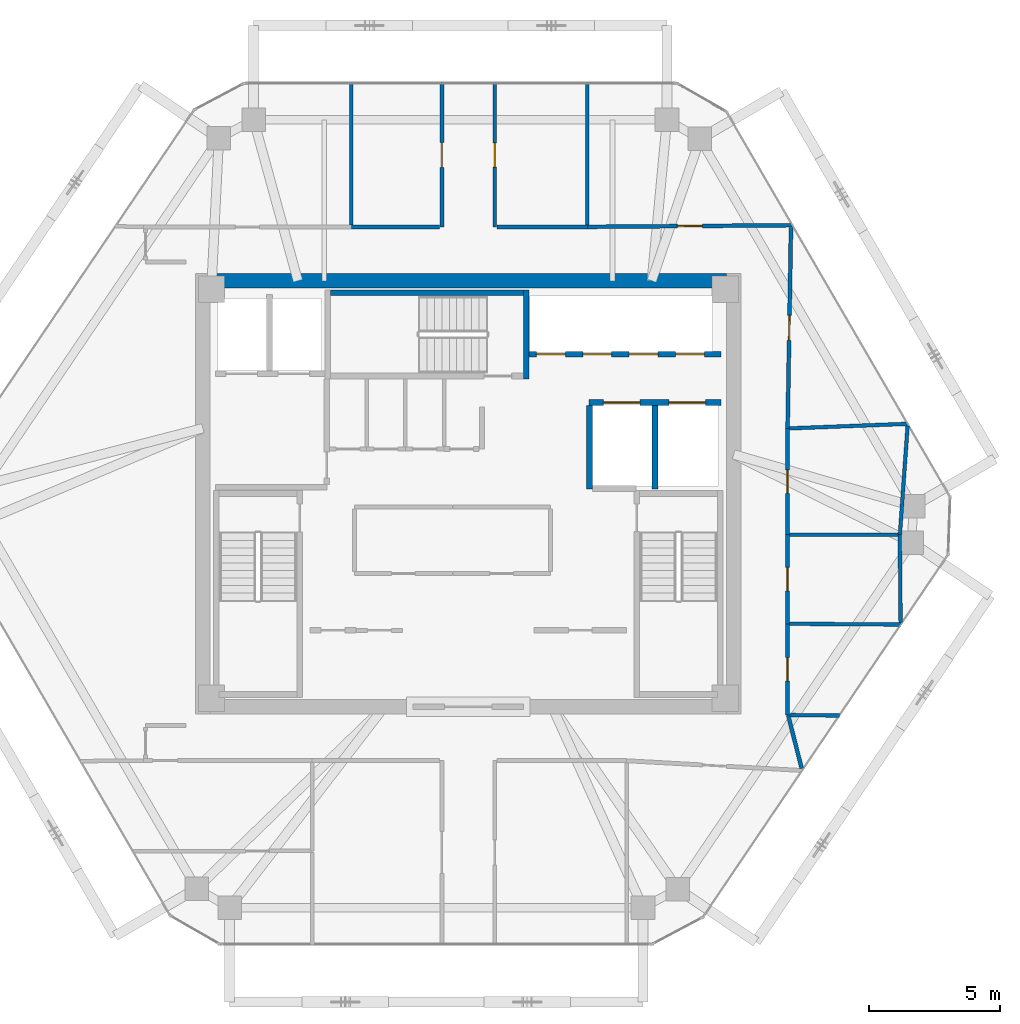
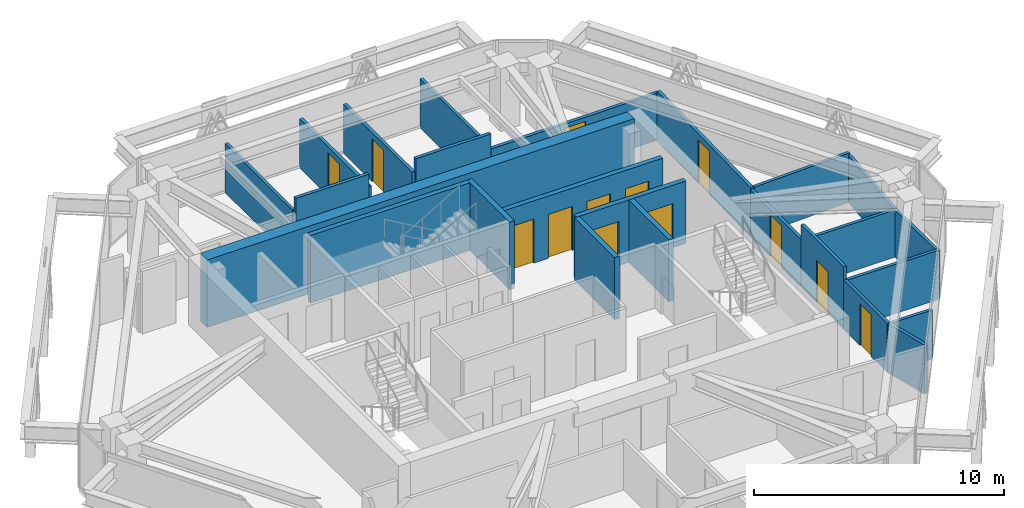
# One storey, part 11 of 13: 25 walls, 13 doors, 13 openings.
"""IFC4 building model written with IfcOpenShell, lengths in metres."""

from ifc_helpers import new_model, si_unit, direction, frame, frame_2d, origin, place, context, subcontext, project, spatial, rectangle, extrude, source, transform, mapped, material, layer, layer_set, type_object, type_shapes, element, fill, save


model = new_model("IFC4")

# Units and contexts
model_context = context("Model", 3, precision=1e-05, world=origin(), true_north=direction((0.0, 1.0)))
body_context = subcontext(model_context, "Body", "Model", "MODEL_VIEW")
ifc_project = project(units=[si_unit("LENGTHUNIT", "METRE"), si_unit("AREAUNIT", "SQUARE_METRE"), si_unit("VOLUMEUNIT", "CUBIC_METRE"), si_unit("PLANEANGLEUNIT", "RADIAN"), si_unit("MASSUNIT", "GRAM", prefix="KILO")], contexts=[model_context])

# Site, building, storey
site_placement = place(None, origin())
site = spatial("IfcSite", under=ifc_project, at=site_placement, CompositionType="ELEMENT")
building_placement = place(site_placement, origin())
building = spatial("IfcBuilding", under=site, at=building_placement, Name="Durnholm Broadcast Tower", CompositionType="ELEMENT")
storey_placement = place(building_placement, frame((0.0, 0.0, 234.800048828125)))
storey = spatial("IfcBuildingStorey", under=building, at=storey_placement, Name="L65", CompositionType="ELEMENT", Elevation=234.800048828125)

# Walls
ifc_material_1 = material(Name="Concrete C70/85", Category="concrete")
ifc_layer_1 = layer(ifc_material_1, 0.550048828125)
ifc_layer_set_1 = layer_set([ifc_layer_1], Name="Concrete C70/85")
wall_type_1 = type_object("IfcWallType", Name="WALL-CW-550", PredefinedType="SHEAR", material=ifc_layer_set_1)
wall_1_placement = place(storey_placement, frame((-9.85009765625, 8.125, 0.0), z_axis=(0.0, 0.0, 1.0), x_axis=(1.0, 0.0, 0.0)))
element("IfcWall", 1, at=wall_1_placement, inside=storey, type_object=wall_type_1, Name="L65 central core shear wall CW-N", PredefinedType="SHEAR", context=body_context, shape_type="SweptSolid", body=[
    extrude(rectangle(XDim=19.7001953125, YDim=0.550048828125, at=frame_2d((9.85009765625, 0.0))), origin(), (0.0, 0.0, 1.0), 3.300048828125),
])
ifc_material_2 = material(Name="Gypsum Metal Stud Partition", Category="concrete")
ifc_layer_2 = layer(ifc_material_2, 0.135009765625)
ifc_layer_set_2 = layer_set([ifc_layer_2], Name="Gypsum Metal Stud Partition")
wall_type_2 = type_object("IfcWallType", Name="WALL-PART-135", PredefinedType="PARTITIONING", material=ifc_layer_set_2)
wall_2_placement = place(storey_placement, frame((-4.4599609375, 15.662109375, 0.0), z_axis=(0.0, 0.0, 1.0), x_axis=(0.0, -1.0, 0.0)))
element("IfcWall", 2, at=wall_2_placement, inside=storey, type_object=wall_type_2, Name="L65 room dividing partition 13.14", PredefinedType="PARTITIONING", context=body_context, shape_type="SweptSolid", body=[
    extrude(rectangle(XDim=5.403076171875, YDim=0.135009765625, at=frame_2d((2.70166015625, 0.0))), origin(), (0.0, 0.0, 1.0), 2.398681640625),
])
wall_3_placement = place(storey_placement, frame((4.5400390625, 15.662109375, 0.0), z_axis=(0.0, 0.0, 1.0), x_axis=(0.0, -1.0, 0.0)))
element("IfcWall", 3, at=wall_3_placement, inside=storey, type_object=wall_type_2, Name="L65 room dividing partition 15.16", PredefinedType="PARTITIONING", context=body_context, shape_type="SweptSolid", body=[
    extrude(rectangle(XDim=5.402587890625, YDim=0.135009765625, at=frame_2d((2.701171875, 0.0))), origin(), (0.0, 0.0, 1.0), 2.398681640625),
])

# Wall, opening, door
ifc_material_3 = material(Name="Acoustic Gypsum Stud Partition", Category="concrete")
ifc_layer_3 = layer(ifc_material_3, 0.14990234375)
ifc_layer_set_3 = layer_set([ifc_layer_3], Name="Acoustic Gypsum Stud Partition")
wall_type_3 = type_object("IfcWallType", Name="WALL-PART-150", PredefinedType="PARTITIONING", material=ifc_layer_set_3)
wall_4_placement = place(storey_placement, frame((-1.010009765625, 15.662109375, 0.0), z_axis=(0.0, 0.0, 1.0), x_axis=(0.0, -1.0, 0.0)))
wall_4 = element("IfcWall", 4, at=wall_4_placement, inside=storey, type_object=wall_type_3, Name="L65 Global Bureaus Meeting Room corridor partition", PredefinedType="PARTITIONING", context=body_context, shape_type="SweptSolid", body=[
    extrude(rectangle(XDim=5.482177734375, YDim=0.14990234375, at=frame_2d((2.7412109375, 0.0))), origin(), (0.0, 0.0, 1.0), 2.398681640625),
])
opening_1_placement = place(wall_4_placement, frame((2.26611328125, 0.0, 0.0)))
opening_1 = element("IfcOpeningElement", 5, at=opening_1_placement, cuts=wall_4, Name="Opening DR-95L", PredefinedType="OPENING", context=body_context, shape_type="SweptSolid", body=[
    extrude(rectangle(XDim=0.949951171875, YDim=2.10009765625, at=frame_2d((0.47509765625, 1.050048828125))), frame((0.0, 0.0849609375, 0.0), z_axis=(0.0, -1.0, 0.0), x_axis=(1.0, 0.0, 0.0)), (0.0, 0.0, 1.0), 0.169921875),
])
ifc_material_4 = material(Name="Acoustic Oak Veneer Timber Door", Category="wood")
ifc_layer_4 = layer(ifc_material_4, 0.050048828125)
ifc_layer_set_4 = layer_set([ifc_layer_4], Name="Acoustic Oak Veneer Timber Door")
door_type_1 = type_object("IfcDoorType", Name="DOOR-RM-950L", OperationType="NOTDEFINED", PredefinedType="DOOR", material=ifc_layer_set_4)
shared_shape_1 = source(origin(), body_context, "Body", "SweptSolid", [
    extrude(rectangle(XDim=0.949951171875, YDim=2.10009765625, at=frame_2d((0.47509765625, 1.050048828125))), frame((0.0, 0.02490234375, 0.0), z_axis=(0.0, -1.0, 0.0), x_axis=(1.0, 0.0, 0.0)), (0.0, 0.0, 1.0), 0.050048828125),
])
type_shapes(door_type_1, [shared_shape_1])
door_1_placement = place(opening_1_placement, origin())
door_1 = element("IfcDoor", 6, at=door_1_placement, inside=storey, type_object=door_type_1, Name="L65 Global Bureaus Meeting Room entrance door", OperationType="SINGLE_SWING_LEFT", OverallHeight=2.10009765625, OverallWidth=0.949951171875, PredefinedType="DOOR", context=body_context, shape_type="MappedRepresentation", body=[
    mapped(shared_shape_1, transform((0.0, 0.0, 0.0), x_axis=(1.0, 0.0, 0.0), y_axis=(0.0, 1.0, 0.0), z_axis=(0.0, 0.0, 1.0), scale=1.0)),
])
fill(opening_1, door_1)

# Wall
wall_5_placement = place(storey_placement, frame((-1.089111328125, 10.179931640625, 0.0), z_axis=(0.0, 0.0, 1.0), x_axis=(-1.0, 0.0, 0.0)))
element("IfcWall", 7, at=wall_5_placement, inside=storey, type_object=wall_type_3, Name="L65 Global Bureaus Meeting Room corridor partition", PredefinedType="PARTITIONING", context=body_context, shape_type="SweptSolid", body=[
    extrude(rectangle(XDim=3.370849609375, YDim=0.14990234375, at=frame_2d((1.685546875, 0.0))), origin(), (0.0, 0.0, 1.0), 3.044921875),
])

# Wall, opening, door
wall_6_placement = place(storey_placement, frame((1.010009765625, 10.179931640625, 0.0), z_axis=(0.0, 0.0, 1.0), x_axis=(0.0, 1.0, 0.0)))
wall_6 = element("IfcWall", 8, at=wall_6_placement, inside=storey, type_object=wall_type_3, Name="L65 Protocol Lounge corridor partition", PredefinedType="PARTITIONING", context=body_context, shape_type="SweptSolid", body=[
    extrude(rectangle(XDim=5.482177734375, YDim=0.14990234375, at=frame_2d((2.7412109375, 0.0))), origin(), (0.0, 0.0, 1.0), 2.398681640625),
])
opening_2_placement = place(wall_6_placement, frame((2.281005859375, 0.0, 0.0)))
opening_2 = element("IfcOpeningElement", 9, at=opening_2_placement, cuts=wall_6, Name="Opening DR-92R", PredefinedType="OPENING", context=body_context, shape_type="SweptSolid", body=[
    extrude(rectangle(XDim=0.919921875, YDim=2.10009765625, at=frame_2d((0.4599609375, 1.050048828125))), frame((0.0, 0.0849609375, 0.0), z_axis=(0.0, -1.0, 0.0), x_axis=(1.0, 0.0, 0.0)), (0.0, 0.0, 1.0), 0.169921875),
])
ifc_material_5 = material(Name="Oak Veneer Office Door", Category="wood")
ifc_layer_5 = layer(ifc_material_5, 0.050048828125)
ifc_layer_set_5 = layer_set([ifc_layer_5], Name="Oak Veneer Office Door")
door_type_2 = type_object("IfcDoorType", Name="DOOR-RM-920R", OperationType="NOTDEFINED", PredefinedType="DOOR", material=ifc_layer_set_5)
shared_shape_2 = source(origin(), body_context, "Body", "SweptSolid", [
    extrude(rectangle(XDim=0.919921875, YDim=2.10009765625, at=frame_2d((0.4599609375, 1.050048828125))), frame((0.0, 0.02490234375, 0.0), z_axis=(0.0, -1.0, 0.0), x_axis=(1.0, 0.0, 0.0)), (0.0, 0.0, 1.0), 0.050048828125),
])
type_shapes(door_type_2, [shared_shape_2])
door_2_placement = place(opening_2_placement, origin())
door_2 = element("IfcDoor", 10, at=door_2_placement, inside=storey, type_object=door_type_2, Name="L65 Protocol Lounge entrance door", OperationType="SINGLE_SWING_RIGHT", OverallHeight=2.10009765625, OverallWidth=0.919921875, PredefinedType="DOOR", context=body_context, shape_type="MappedRepresentation", body=[
    mapped(shared_shape_2, transform((0.0, 0.0, 0.0), x_axis=(1.0, 0.0, 0.0), y_axis=(0.0, 1.0, 0.0), z_axis=(0.0, 0.0, 1.0), scale=1.0)),
])
fill(opening_2, door_2)

# Wall
wall_7_placement = place(storey_placement, frame((4.5400390625, 10.179931640625, 0.0), z_axis=(0.0, 0.0, 1.0), x_axis=(-1.0, 0.0, 0.0)))
element("IfcWall", 11, at=wall_7_placement, inside=storey, type_object=wall_type_3, Name="L65 Protocol Lounge corridor partition", PredefinedType="PARTITIONING", context=body_context, shape_type="SweptSolid", body=[
    extrude(rectangle(XDim=3.450927734375, YDim=0.14990234375, at=frame_2d((1.7255859375, 0.0))), origin(), (0.0, 0.0, 1.0), 3.044921875),
])

# Wall, opening, door
wall_8_placement = place(storey_placement, frame((12.368408203125, 10.242919921875, 0.0), z_axis=(0.0, 0.0, 1.0), x_axis=(-0.999968379606, -0.007952344825, 0.0)))
wall_8 = element("IfcWall", 12, at=wall_8_placement, inside=storey, type_object=wall_type_3, Name="L65 Open Plan Broadcast Workspace 5 corridor partition", PredefinedType="PARTITIONING", context=body_context, shape_type="SweptSolid", body=[
    extrude(rectangle(XDim=7.82861328125, YDim=0.14990234375, at=frame_2d((3.914306640625, 0.0))), origin(), (0.0, 0.0, 1.0), 2.30126953125),
])
opening_3_placement = place(wall_8_placement, frame((3.439208984375, 0.0, 0.0)))
opening_3 = element("IfcOpeningElement", 13, at=opening_3_placement, cuts=wall_8, Name="Opening DR-95L", PredefinedType="OPENING", context=body_context, shape_type="SweptSolid", body=[
    extrude(rectangle(XDim=0.949951171875, YDim=2.10009765625, at=frame_2d((0.47509765625, 1.050048828125))), frame((0.0, 0.0849609375, 0.0), z_axis=(0.0, -1.0, 0.0), x_axis=(1.0, 0.0, 0.0)), (0.0, 0.0, 1.0), 0.169921875),
])
door_3_placement = place(opening_3_placement, origin())
door_3 = element("IfcDoor", 14, at=door_3_placement, inside=storey, type_object=door_type_1, Name="L65 Open Plan Broadcast Workspace 5 entrance door", OperationType="SINGLE_SWING_LEFT", OverallHeight=2.10009765625, OverallWidth=0.949951171875, PredefinedType="DOOR", context=body_context, shape_type="MappedRepresentation", body=[
    mapped(shared_shape_1, transform((0.0, 0.0, 0.0), x_axis=(1.0, 0.0, 0.0), y_axis=(0.0, 1.0, 0.0), z_axis=(0.0, 0.0, 1.0), scale=1.0)),
])
fill(opening_3, door_3)

# Wall
wall_9_placement = place(storey_placement, frame((12.718505859375, -10.4775390625, 0.0), z_axis=(0.0, 0.0, 1.0), x_axis=(-0.246522636262, 0.969137033556, 0.0)))
element("IfcWall", 15, at=wall_9_placement, inside=storey, type_object=wall_type_3, Name="L65 Open Plan Broadcast Workspace 4 corridor partition", PredefinedType="PARTITIONING", context=body_context, shape_type="SweptSolid", body=[
    extrude(rectangle(XDim=2.1025390625, YDim=0.14990234375, at=frame_2d((1.05126953125, 0.0))), origin(), (0.0, 0.0, 1.0), 2.398681640625),
])

# Wall, opening, door
wall_10_placement = place(storey_placement, frame((12.181396484375, 2.489990234375, 0.0), z_axis=(0.0, 0.0, 1.0), x_axis=(0.016828669653, 0.999858387912, 0.0)))
wall_10 = element("IfcWall", 16, at=wall_10_placement, inside=storey, type_object=wall_type_3, Name="L65 Open Plan Broadcast Workspace 1 corridor partition", PredefinedType="PARTITIONING", context=body_context, shape_type="SweptSolid", body=[
    extrude(rectangle(XDim=7.67431640625, YDim=0.14990234375, at=frame_2d((3.837158203125, 0.0))), origin(), (0.0, 0.0, 1.0), 2.398681640625),
])
opening_4_placement = place(wall_10_placement, frame((3.3623046875, 0.0, 0.0)))
opening_4 = element("IfcOpeningElement", 17, at=opening_4_placement, cuts=wall_10, Name="Opening DR-95R", PredefinedType="OPENING", context=body_context, shape_type="SweptSolid", body=[
    extrude(rectangle(XDim=0.949951171875, YDim=2.10009765625, at=frame_2d((0.47509765625, 1.050048828125))), frame((0.0, 0.0849609375, 0.0), z_axis=(0.0, -1.0, 0.0), x_axis=(1.0, 0.0, 0.0)), (0.0, 0.0, 1.0), 0.169921875),
])
ifc_layer_6 = layer(ifc_material_4, 0.050048828125)
ifc_layer_set_6 = layer_set([ifc_layer_6], Name="Acoustic Oak Veneer Timber Door")
door_type_3 = type_object("IfcDoorType", Name="DOOR-RM-950R", OperationType="NOTDEFINED", PredefinedType="DOOR", material=ifc_layer_set_6)
shared_shape_3 = source(origin(), body_context, "Body", "SweptSolid", [
    extrude(rectangle(XDim=0.949951171875, YDim=2.10009765625, at=frame_2d((0.47509765625, 1.050048828125))), frame((0.0, 0.02490234375, 0.0), z_axis=(0.0, -1.0, 0.0), x_axis=(1.0, 0.0, 0.0)), (0.0, 0.0, 1.0), 0.050048828125),
])
type_shapes(door_type_3, [shared_shape_3])
door_4_placement = place(opening_4_placement, origin())
door_4 = element("IfcDoor", 18, at=door_4_placement, inside=storey, type_object=door_type_3, Name="L65 Open Plan Broadcast Workspace 1 entrance door", OperationType="SINGLE_SWING_RIGHT", OverallHeight=2.10009765625, OverallWidth=0.949951171875, PredefinedType="DOOR", context=body_context, shape_type="MappedRepresentation", body=[
    mapped(shared_shape_3, transform((0.0, 0.0, 0.0), x_axis=(1.0, 0.0, 0.0), y_axis=(0.0, 1.0, 0.0), z_axis=(0.0, 0.0, 1.0), scale=1.0)),
])
fill(opening_4, door_4)

# Wall, openings, doors
ifc_material_6 = material(Name="Concrete Blockwork C30/37", Category="masonry")
ifc_layer_7 = layer(ifc_material_6, 0.219970703125)
ifc_layer_set_7 = layer_set([ifc_layer_7], Name="Concrete Blockwork C30/37")
wall_type_4 = type_object("IfcWallType", Name="WALL-SHAFT-220", PredefinedType="SOLIDWALL", material=ifc_layer_set_7)
wall_11_placement = place(storey_placement, frame((4.60009765625, 3.47998046875, 0.0), z_axis=(0.0, 0.0, 1.0), x_axis=(1.0, 0.0, 0.0)))
wall_11 = element("IfcWall", 19, at=wall_11_placement, inside=storey, type_object=wall_type_4, Name="L65 freight service lifts north front wall", PredefinedType="SOLIDWALL", context=body_context, shape_type="SweptSolid", body=[
    extrude(rectangle(XDim=5.0498046875, YDim=0.219970703125, at=frame_2d((2.52490234375, 0.0))), origin(), (0.0, 0.0, 1.0), 3.044921875),
])
opening_5_placement = place(wall_11_placement, frame((0.550048828125, 0.0, 0.0)))
opening_5 = element("IfcOpeningElement", 20, at=opening_5_placement, cuts=wall_11, Name="Opening LD-SVL-2", PredefinedType="OPENING", context=body_context, shape_type="SweptSolid", body=[
    extrude(rectangle(XDim=1.39990234375, YDim=2.14990234375, at=frame_2d((0.699951171875, 1.074951171875))), frame((0.0, 0.1201171875, 0.0), z_axis=(0.0, -1.0, 0.0), x_axis=(1.0, 0.0, 0.0)), (0.0, 0.0, 1.0), 0.239990234375),
])
opening_6_placement = place(wall_11_placement, frame((3.050048828125, 0.0, 0.0)))
opening_6 = element("IfcOpeningElement", 21, at=opening_6_placement, cuts=wall_11, Name="Opening LD-SVL-1", PredefinedType="OPENING", context=body_context, shape_type="SweptSolid", body=[
    extrude(rectangle(XDim=1.39990234375, YDim=2.14990234375, at=frame_2d((0.699951171875, 1.074951171875))), frame((0.0, 0.1201171875, 0.0), z_axis=(0.0, -1.0, 0.0), x_axis=(1.0, 0.0, 0.0)), (0.0, 0.0, 1.0), 0.239990234375),
])
ifc_material_7 = material(Name="Freight Elevator Bi-Parting Sliding Landing Door", Category="steel")
ifc_layer_8 = layer(ifc_material_7, 0.050048828125)
ifc_layer_set_8 = layer_set([ifc_layer_8], Name="Freight Elevator Bi-Parting Sliding Landing Door")
door_type_4 = type_object("IfcDoorType", Name="DOOR-LIFT-SVL", OperationType="DOUBLE_DOOR_SLIDING", PredefinedType="DOOR", material=ifc_layer_set_8)
shared_shape_4 = source(origin(), body_context, "Body", "SweptSolid", [
    extrude(rectangle(XDim=1.39990234375, YDim=2.14990234375, at=frame_2d((0.699951171875, 1.074951171875))), frame((0.0, 0.02490234375, 0.0), z_axis=(0.0, -1.0, 0.0), x_axis=(1.0, 0.0, 0.0)), (0.0, 0.0, 1.0), 0.050048828125),
])
type_shapes(door_type_4, [shared_shape_4])
door_5_placement = place(opening_5_placement, origin())
door_5 = element("IfcDoor", 22, at=door_5_placement, inside=storey, type_object=door_type_4, Name="L65 freight service elevator SVL-2 sliding landing door", OperationType="DOUBLE_DOOR_SLIDING", OverallHeight=2.14990234375, OverallWidth=1.39990234375, PredefinedType="DOOR", context=body_context, shape_type="MappedRepresentation", body=[
    mapped(shared_shape_4, transform((0.0, 0.0, 0.0), x_axis=(1.0, 0.0, 0.0), y_axis=(0.0, 1.0, 0.0), z_axis=(0.0, 0.0, 1.0), scale=1.0)),
])
fill(opening_5, door_5)
door_6_placement = place(opening_6_placement, origin())
door_6 = element("IfcDoor", 23, at=door_6_placement, inside=storey, type_object=door_type_4, Name="L65 freight service elevator SVL-1 sliding landing door", OperationType="DOUBLE_DOOR_SLIDING", OverallHeight=2.14990234375, OverallWidth=1.39990234375, PredefinedType="DOOR", context=body_context, shape_type="MappedRepresentation", body=[
    mapped(shared_shape_4, transform((0.0, 0.0, 0.0), x_axis=(1.0, 0.0, 0.0), y_axis=(0.0, 1.0, 0.0), z_axis=(0.0, 0.0, 1.0), scale=1.0)),
])
fill(opening_6, door_6)

# Walls
for number, where, z_axis, x_axis, name in (
    (24, (4.6201171875, 0.179931640625, 0.0), (0.0, 0.0, 1.0), (0.0, 1.0, 0.0), "L65 freight service lift SVL-2 west wall"),
    (25, (7.1201171875, 0.179931640625, 0.0), (0.0, 0.0, 1.0), (0.0, 1.0, 0.0), "L65 freight service lifts divider wall"),
):
    element("IfcWall", number, at=place(storey_placement, frame(where, z_axis=z_axis, x_axis=x_axis)), inside=storey, type_object=wall_type_4, Name=name, PredefinedType="SOLIDWALL", context=body_context, shape_type="SweptSolid", body=[
        extrude(rectangle(XDim=3.18603515625, YDim=0.219970703125, at=frame_2d((1.593017578125, 0.0))), origin(), (0.0, 0.0, 1.0), 3.044921875),
    ])

# Wall, openings, doors
wall_12_placement = place(storey_placement, frame((2.324951171875, 5.320068359375, 0.0), z_axis=(0.0, 0.0, 1.0), x_axis=(1.0, 0.0, 0.0)))
wall_12 = element("IfcWall", 26, at=wall_12_placement, inside=storey, type_object=wall_type_4, Name="L65 high-rise bank P3 south front wall", PredefinedType="SOLIDWALL", context=body_context, shape_type="SweptSolid", body=[
    extrude(rectangle(XDim=7.324951171875, YDim=0.219970703125, at=frame_2d((3.66259765625, 0.0))), origin(), (0.0, 0.0, 1.0), 3.044921875),
])
opening_7_placement = place(wall_12_placement, frame((0.27490234375, 0.0, 0.0)))
opening_7 = element("IfcOpeningElement", 27, at=opening_7_placement, cuts=wall_12, Name="Opening LD-LP3-1", PredefinedType="OPENING", context=body_context, shape_type="SweptSolid", body=[
    extrude(rectangle(XDim=1.10009765625, YDim=2.14990234375, at=frame_2d((0.550048828125, 1.074951171875))), frame((0.0, 0.1201171875, 0.0), z_axis=(0.0, -1.0, 0.0), x_axis=(1.0, 0.0, 0.0)), (0.0, 0.0, 1.0), 0.239990234375),
])
opening_8_placement = place(wall_12_placement, frame((2.044921875, 0.0, 0.0)))
opening_8 = element("IfcOpeningElement", 28, at=opening_8_placement, cuts=wall_12, Name="Opening LD-LP3-2", PredefinedType="OPENING", context=body_context, shape_type="SweptSolid", body=[
    extrude(rectangle(XDim=1.10009765625, YDim=2.14990234375, at=frame_2d((0.550048828125, 1.074951171875))), frame((0.0, 0.1201171875, 0.0), z_axis=(0.0, -1.0, 0.0), x_axis=(1.0, 0.0, 0.0)), (0.0, 0.0, 1.0), 0.239990234375),
])
opening_9_placement = place(wall_12_placement, frame((3.81494140625, 0.0, 0.0)))
opening_9 = element("IfcOpeningElement", 29, at=opening_9_placement, cuts=wall_12, Name="Opening LD-LP3-3", PredefinedType="OPENING", context=body_context, shape_type="SweptSolid", body=[
    extrude(rectangle(XDim=1.10009765625, YDim=2.14990234375, at=frame_2d((0.550048828125, 1.074951171875))), frame((0.0, 0.1201171875, 0.0), z_axis=(0.0, -1.0, 0.0), x_axis=(1.0, 0.0, 0.0)), (0.0, 0.0, 1.0), 0.239990234375),
])
opening_10_placement = place(wall_12_placement, frame((5.5849609375, 0.0, 0.0)))
opening_10 = element("IfcOpeningElement", 30, at=opening_10_placement, cuts=wall_12, Name="Opening LD-LP3-4", PredefinedType="OPENING", context=body_context, shape_type="SweptSolid", body=[
    extrude(rectangle(XDim=1.10009765625, YDim=2.14990234375, at=frame_2d((0.550048828125, 1.074951171875))), frame((0.0, 0.1201171875, 0.0), z_axis=(0.0, -1.0, 0.0), x_axis=(1.0, 0.0, 0.0)), (0.0, 0.0, 1.0), 0.239990234375),
])
ifc_material_8 = material(Name="Stainless Steel Sliding Elevator Landing Door", Category="steel")
ifc_layer_9 = layer(ifc_material_8, 0.050048828125)
ifc_layer_set_9 = layer_set([ifc_layer_9], Name="Stainless Steel Sliding Elevator Landing Door")
door_type_5 = type_object("IfcDoorType", Name="DOOR-LIFT-PAX", OperationType="DOUBLE_DOOR_SLIDING", PredefinedType="DOOR", material=ifc_layer_set_9)
shared_shape_5 = source(origin(), body_context, "Body", "SweptSolid", [
    extrude(rectangle(XDim=1.10009765625, YDim=2.14990234375, at=frame_2d((0.550048828125, 1.074951171875))), frame((0.0, 0.02490234375, 0.0), z_axis=(0.0, -1.0, 0.0), x_axis=(1.0, 0.0, 0.0)), (0.0, 0.0, 1.0), 0.050048828125),
])
type_shapes(door_type_5, [shared_shape_5])
door_7_placement = place(opening_7_placement, origin())
door_7 = element("IfcDoor", 31, at=door_7_placement, inside=storey, type_object=door_type_5, Name="L65 high-rise elevator LP3-1 sliding landing door", OperationType="DOUBLE_DOOR_SLIDING", OverallHeight=2.14990234375, OverallWidth=1.10009765625, PredefinedType="DOOR", context=body_context, shape_type="MappedRepresentation", body=[
    mapped(shared_shape_5, transform((0.0, 0.0, 0.0), x_axis=(1.0, 0.0, 0.0), y_axis=(0.0, 1.0, 0.0), z_axis=(0.0, 0.0, 1.0), scale=1.0)),
])
fill(opening_7, door_7)
door_8_placement = place(opening_8_placement, origin())
door_8 = element("IfcDoor", 32, at=door_8_placement, inside=storey, type_object=door_type_5, Name="L65 high-rise elevator LP3-2 sliding landing door", OperationType="DOUBLE_DOOR_SLIDING", OverallHeight=2.14990234375, OverallWidth=1.10009765625, PredefinedType="DOOR", context=body_context, shape_type="MappedRepresentation", body=[
    mapped(shared_shape_5, transform((0.0, 0.0, 0.0), x_axis=(1.0, 0.0, 0.0), y_axis=(0.0, 1.0, 0.0), z_axis=(0.0, 0.0, 1.0), scale=1.0)),
])
fill(opening_8, door_8)
door_9_placement = place(opening_9_placement, origin())
door_9 = element("IfcDoor", 33, at=door_9_placement, inside=storey, type_object=door_type_5, Name="L65 high-rise elevator LP3-3 sliding landing door", OperationType="DOUBLE_DOOR_SLIDING", OverallHeight=2.14990234375, OverallWidth=1.10009765625, PredefinedType="DOOR", context=body_context, shape_type="MappedRepresentation", body=[
    mapped(shared_shape_5, transform((0.0, 0.0, 0.0), x_axis=(1.0, 0.0, 0.0), y_axis=(0.0, 1.0, 0.0), z_axis=(0.0, 0.0, 1.0), scale=1.0)),
])
fill(opening_9, door_9)
door_10_placement = place(opening_10_placement, origin())
door_10 = element("IfcDoor", 34, at=door_10_placement, inside=storey, type_object=door_type_5, Name="L65 high-rise elevator LP3-4 sliding landing door", OperationType="DOUBLE_DOOR_SLIDING", OverallHeight=2.14990234375, OverallWidth=1.10009765625, PredefinedType="DOOR", context=body_context, shape_type="MappedRepresentation", body=[
    mapped(shared_shape_5, transform((0.0, 0.0, 0.0), x_axis=(1.0, 0.0, 0.0), y_axis=(0.0, 1.0, 0.0), z_axis=(0.0, 0.0, 1.0), scale=1.0)),
])
fill(opening_10, door_10)

# Walls
ifc_material_9 = material(Name="Concrete C50/60", Category="concrete")
ifc_layer_10 = layer(ifc_material_9, 0.219970703125)
ifc_layer_set_10 = layer_set([ifc_layer_10], Name="Concrete C50/60")
wall_type_5 = type_object("IfcWallType", Name="WALL-SW-220", PredefinedType="SHEAR", material=ifc_layer_set_10)
wall_13_placement = place(storey_placement, frame((2.2099609375, 4.3798828125, -0.239990234375), z_axis=(0.0, 0.0, 1.0), x_axis=(0.0, 1.0, 0.0)))
element("IfcWall", 35, at=wall_13_placement, inside=storey, type_object=wall_type_5, Name="L65 stair ST-3 structural shaft wall E", PredefinedType="SHEAR", context=body_context, shape_type="SweptSolid", body=[
    extrude(rectangle(XDim=3.400146484375, YDim=0.219970703125, at=frame_2d((1.7001953125, 0.0))), origin(), (0.0, 0.0, 1.0), 3.300048828125),
])
wall_14_placement = place(storey_placement, frame((2.10009765625, 7.669921875, -0.239990234375), z_axis=(0.0, 0.0, 1.0), x_axis=(-1.0, 0.0, 0.0)))
element("IfcWall", 36, at=wall_14_placement, inside=storey, type_object=wall_type_5, Name="L65 stair ST-3 structural shaft wall N", PredefinedType="SHEAR", context=body_context, shape_type="SweptSolid", body=[
    extrude(rectangle(XDim=7.35009765625, YDim=0.219970703125, at=frame_2d((3.675048828125, 0.0))), origin(), (0.0, 0.0, 1.0), 3.300048828125),
])

# Wall, opening, door
ifc_material_10 = material(Name="Moisture-Resistant Tile Partition", Category="concrete")
ifc_layer_11 = layer(ifc_material_10, 0.139892578125)
ifc_layer_set_11 = layer_set([ifc_layer_11], Name="Moisture-Resistant Tile Partition")
wall_type_6 = type_object("IfcWallType", Name="WALL-WC-140", PredefinedType="PARTITIONING", material=ifc_layer_set_11)
wall_15_placement = place(storey_placement, frame((12.179931640625, -8.43994140625, 0.0), z_axis=(0.0, 0.0, 1.0), x_axis=(0.0, 1.0, 0.0)))
wall_15 = element("IfcWall", 37, at=wall_15_placement, inside=storey, type_object=wall_type_6, Name="L65 Men's Restroom corridor partition", PredefinedType="PARTITIONING", context=body_context, shape_type="SweptSolid", body=[
    extrude(rectangle(XDim=3.47998046875, YDim=0.139892578125, at=frame_2d((1.739990234375, 0.0))), origin(), (0.0, 0.0, 1.0), 2.398681640625),
])
opening_11_placement = place(wall_15_placement, frame((1.2900390625, 0.0, 0.0)))
opening_11 = element("IfcOpeningElement", 38, at=opening_11_placement, cuts=wall_15, Name="Opening DW-90L", PredefinedType="OPENING", context=body_context, shape_type="SweptSolid", body=[
    extrude(rectangle(XDim=0.89990234375, YDim=2.050048828125, at=frame_2d((0.449951171875, 1.02490234375))), frame((0.0, 0.080078125, 0.0), z_axis=(0.0, -1.0, 0.0), x_axis=(1.0, 0.0, 0.0)), (0.0, 0.0, 1.0), 0.159912109375),
])
ifc_material_11 = material(Name="Laminate Restroom Door", Category="steel")
ifc_layer_12 = layer(ifc_material_11, 0.050048828125)
ifc_layer_set_12 = layer_set([ifc_layer_12], Name="Laminate Restroom Door")
door_type_6 = type_object("IfcDoorType", Name="DOOR-WC-900L", OperationType="NOTDEFINED", PredefinedType="DOOR", material=ifc_layer_set_12)
shared_shape_6 = source(origin(), body_context, "Body", "SweptSolid", [
    extrude(rectangle(XDim=0.89990234375, YDim=2.050048828125, at=frame_2d((0.449951171875, 1.02490234375))), frame((0.0, 0.02490234375, 0.0), z_axis=(0.0, -1.0, 0.0), x_axis=(1.0, 0.0, 0.0)), (0.0, 0.0, 1.0), 0.050048828125),
])
type_shapes(door_type_6, [shared_shape_6])
door_11_placement = place(opening_11_placement, origin())
door_11 = element("IfcDoor", 39, at=door_11_placement, inside=storey, type_object=door_type_6, Name="L65 Men's Restroom entrance door", OperationType="SINGLE_SWING_LEFT", OverallHeight=2.050048828125, OverallWidth=0.89990234375, PredefinedType="DOOR", context=body_context, shape_type="MappedRepresentation", body=[
    mapped(shared_shape_6, transform((0.0, 0.0, 0.0), x_axis=(1.0, 0.0, 0.0), y_axis=(0.0, 1.0, 0.0), z_axis=(0.0, 0.0, 1.0), scale=1.0)),
])
fill(opening_11, door_11)

wall_16_placement = place(storey_placement, frame((12.179931640625, -4.9599609375, 0.0), z_axis=(0.0, 0.0, 1.0), x_axis=(0.0, 1.0, 0.0)))
wall_16 = element("IfcWall", 40, at=wall_16_placement, inside=storey, type_object=wall_type_6, Name="L65 Women's Restroom corridor partition", PredefinedType="PARTITIONING", context=body_context, shape_type="SweptSolid", body=[
    extrude(rectangle(XDim=3.39990234375, YDim=0.139892578125, at=frame_2d((1.699951171875, 0.0))), origin(), (0.0, 0.0, 1.0), 3.044921875),
])
opening_12_placement = place(wall_16_placement, frame((1.25, 0.0, 0.0)))
opening_12 = element("IfcOpeningElement", 41, at=opening_12_placement, cuts=wall_16, Name="Opening DW-90R", PredefinedType="OPENING", context=body_context, shape_type="SweptSolid", body=[
    extrude(rectangle(XDim=0.89990234375, YDim=2.050048828125, at=frame_2d((0.449951171875, 1.02490234375))), frame((0.0, 0.080078125, 0.0), z_axis=(0.0, -1.0, 0.0), x_axis=(1.0, 0.0, 0.0)), (0.0, 0.0, 1.0), 0.159912109375),
])
ifc_layer_13 = layer(ifc_material_11, 0.050048828125)
ifc_layer_set_13 = layer_set([ifc_layer_13], Name="Laminate Restroom Door")
door_type_7 = type_object("IfcDoorType", Name="DOOR-WC-900R", OperationType="NOTDEFINED", PredefinedType="DOOR", material=ifc_layer_set_13)
shared_shape_7 = source(origin(), body_context, "Body", "SweptSolid", [
    extrude(rectangle(XDim=0.89990234375, YDim=2.050048828125, at=frame_2d((0.449951171875, 1.02490234375))), frame((0.0, 0.02490234375, 0.0), z_axis=(0.0, -1.0, 0.0), x_axis=(1.0, 0.0, 0.0)), (0.0, 0.0, 1.0), 0.050048828125),
])
type_shapes(door_type_7, [shared_shape_7])
door_12_placement = place(opening_12_placement, origin())
door_12 = element("IfcDoor", 42, at=door_12_placement, inside=storey, type_object=door_type_7, Name="L65 Women's Restroom entrance door", OperationType="SINGLE_SWING_RIGHT", OverallHeight=2.050048828125, OverallWidth=0.89990234375, PredefinedType="DOOR", context=body_context, shape_type="MappedRepresentation", body=[
    mapped(shared_shape_7, transform((0.0, 0.0, 0.0), x_axis=(1.0, 0.0, 0.0), y_axis=(0.0, 1.0, 0.0), z_axis=(0.0, 0.0, 1.0), scale=1.0)),
])
fill(opening_12, door_12)

wall_17_placement = place(storey_placement, frame((12.179931640625, -1.56005859375, 0.0), z_axis=(0.0, 0.0, 1.0), x_axis=(0.0, 1.0, 0.0)))
wall_17 = element("IfcWall", 43, at=wall_17_placement, inside=storey, type_object=wall_type_6, Name="L65 Accessible Restroom corridor partition", PredefinedType="PARTITIONING", context=body_context, shape_type="SweptSolid", body=[
    extrude(rectangle(XDim=4.050048828125, YDim=0.139892578125, at=frame_2d((2.02490234375, 0.0))), origin(), (0.0, 0.0, 1.0), 2.30126953125),
])
opening_13_placement = place(wall_17_placement, frame((1.574951171875, 0.0, 0.0)))
opening_13 = element("IfcOpeningElement", 44, at=opening_13_placement, cuts=wall_17, Name="Opening DW-90L", PredefinedType="OPENING", context=body_context, shape_type="SweptSolid", body=[
    extrude(rectangle(XDim=0.89990234375, YDim=2.050048828125, at=frame_2d((0.449951171875, 1.02490234375))), frame((0.0, 0.080078125, 0.0), z_axis=(0.0, -1.0, 0.0), x_axis=(1.0, 0.0, 0.0)), (0.0, 0.0, 1.0), 0.159912109375),
])
door_13_placement = place(opening_13_placement, origin())
door_13 = element("IfcDoor", 45, at=door_13_placement, inside=storey, type_object=door_type_6, Name="L65 Accessible Restroom entrance door", OperationType="SINGLE_SWING_LEFT", OverallHeight=2.050048828125, OverallWidth=0.89990234375, PredefinedType="DOOR", context=body_context, shape_type="MappedRepresentation", body=[
    mapped(shared_shape_6, transform((0.0, 0.0, 0.0), x_axis=(1.0, 0.0, 0.0), y_axis=(0.0, 1.0, 0.0), z_axis=(0.0, 0.0, 1.0), scale=1.0)),
])
fill(opening_13, door_13)

# Walls
wall_18_placement = place(storey_placement, frame((12.25390625, -4.96044921875, 0.0), z_axis=(0.0, 0.0, 1.0), x_axis=(0.999976630429, -0.006836563198, 0.0)))
element("IfcWall", 46, at=wall_18_placement, inside=storey, type_object=wall_type_6, Name="L65 room dividing partition 10.11", PredefinedType="PARTITIONING", context=body_context, shape_type="SweptSolid", body=[
    extrude(rectangle(XDim=4.24951171875, YDim=0.139892578125, at=frame_2d((2.124755859375, 0.0))), origin(), (0.0, 0.0, 1.0), 2.398681640625),
])
wall_19_placement = place(storey_placement, frame((14.155517578125, -8.46240234375, 0.0), z_axis=(0.0, 0.0, 1.0), x_axis=(-0.999935742613, 0.011336253532, 0.0)))
element("IfcWall", 47, at=wall_19_placement, inside=storey, type_object=wall_type_6, Name="L65 room dividing partition 10.21", PredefinedType="PARTITIONING", context=body_context, shape_type="SweptSolid", body=[
    extrude(rectangle(XDim=1.87353515625, YDim=0.139892578125, at=frame_2d((0.936767578125, 0.0))), origin(), (0.0, 0.0, 1.0), 2.398681640625),
])
wall_20_placement = place(storey_placement, frame((12.25390625, -1.56005859375, 0.0), z_axis=(0.0, 0.0, 1.0), x_axis=(1.0, 0.0, 0.0)))
element("IfcWall", 48, at=wall_20_placement, inside=storey, type_object=wall_type_6, Name="L65 room dividing partition 11.12", PredefinedType="PARTITIONING", context=body_context, shape_type="SweptSolid", body=[
    extrude(rectangle(XDim=4.2060546875, YDim=0.139892578125, at=frame_2d((2.10302734375, 0.0))), origin(), (0.0, 0.0, 1.0), 2.30126953125),
])
wall_21_placement = place(storey_placement, frame((16.4599609375, -1.56005859375, 0.0), z_axis=(0.0, 0.0, 1.0), x_axis=(0.009604446748, -0.999953876238, 0.0)))
element("IfcWall", 49, at=wall_21_placement, inside=storey, type_object=wall_type_6, Name="L65 room dividing partition 11.24", PredefinedType="PARTITIONING", context=body_context, shape_type="SweptSolid", body=[
    extrude(rectangle(XDim=3.35546875, YDim=0.139892578125, at=frame_2d((1.677734375, 0.0))), origin(), (0.0, 0.0, 1.0), 2.30126953125),
])
wall_22_placement = place(storey_placement, frame((12.260498046875, 2.4931640625, 0.0), z_axis=(0.0, 0.0, 1.0), x_axis=(0.999256206289, 0.038562082324, 0.0)))
element("IfcWall", 50, at=wall_22_placement, inside=storey, type_object=wall_type_6, Name="L65 room dividing partition 12.24", PredefinedType="PARTITIONING", context=body_context, shape_type="SweptSolid", body=[
    extrude(rectangle(XDim=4.5078125, YDim=0.139892578125, at=frame_2d((2.25390625, 0.0))), origin(), (0.0, 0.0, 1.0), 2.398681640625),
])
wall_23_placement = place(storey_placement, frame((16.759521484375, 2.5927734375, 0.0), z_axis=(0.0, 0.0, 1.0), x_axis=(-0.07055102187, -0.997508172053, 0.0)))
element("IfcWall", 51, at=wall_23_placement, inside=storey, type_object=wall_type_6, Name="L65 room dividing partition 12.24", PredefinedType="PARTITIONING", context=body_context, shape_type="SweptSolid", body=[
    extrude(rectangle(XDim=4.162841796875, YDim=0.139892578125, at=frame_2d((2.08154296875, 0.0))), origin(), (0.0, 0.0, 1.0), 2.30126953125),
])

save(model, "model.ifc")
